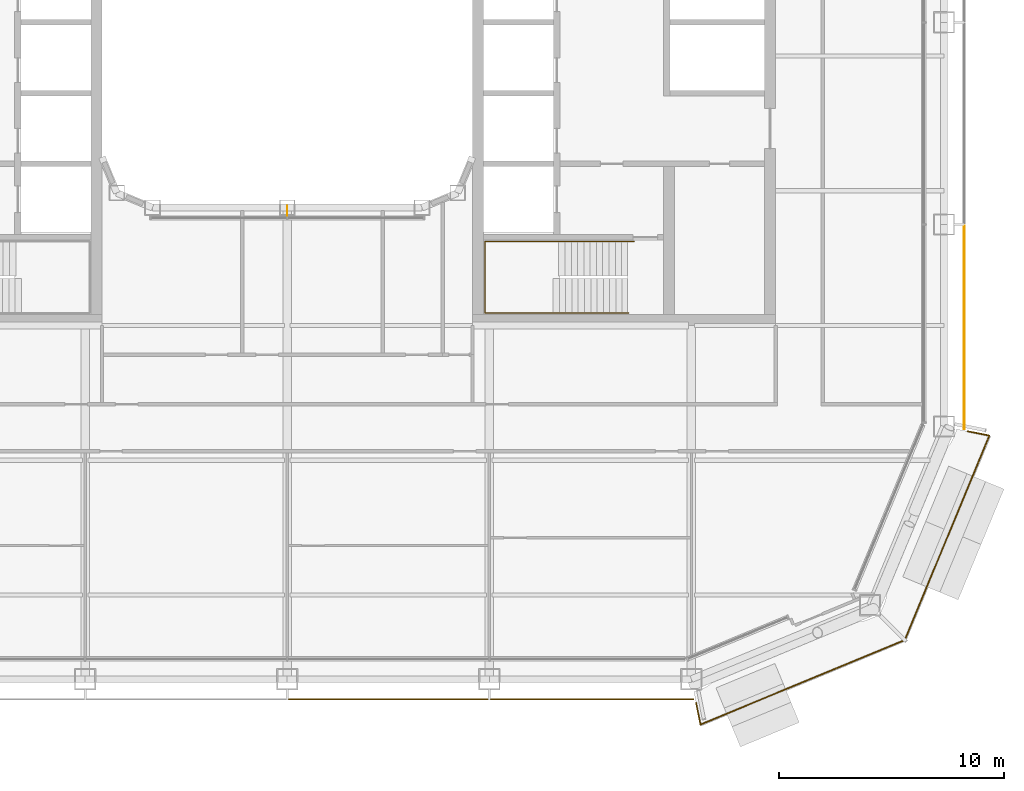
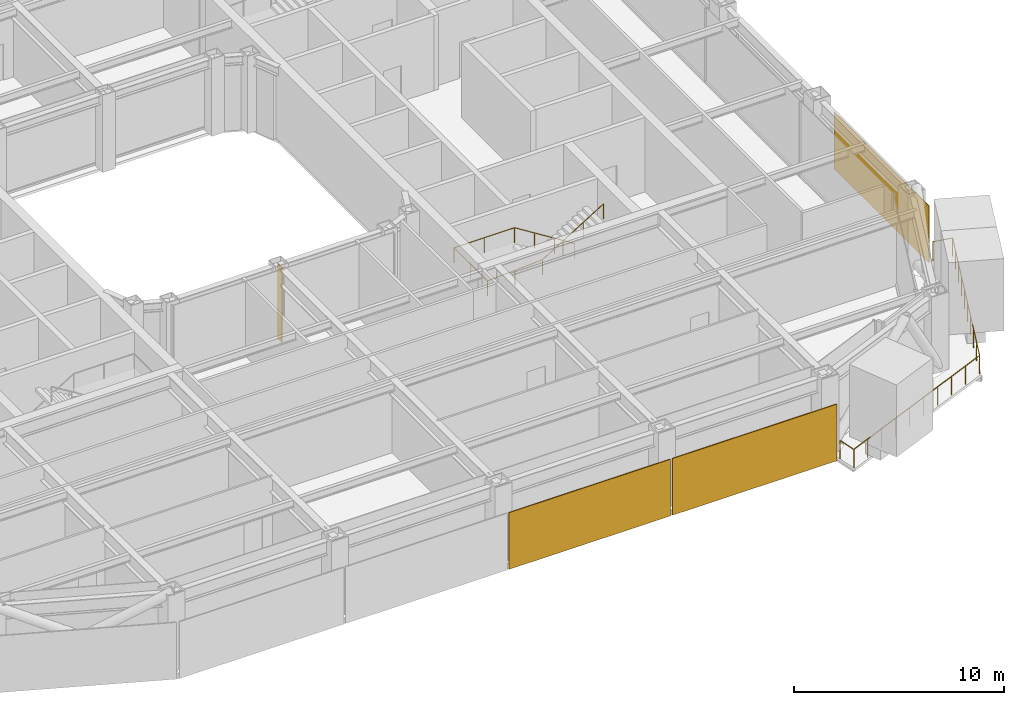
# One storey, part 19 of 23: 3 coverings, 2 railings, 1 shading device.
"""IFC4 building model written with IfcOpenShell, lengths in metres."""

from ifc_helpers import new_model, si_unit, direction, frame, origin, origin_2d, place, context, subcontext, project, spatial, rectangle, circle, extrude, material, layer, layer_set, type_object, element, save


model = new_model("IFC4")

# Units and contexts
model_context = context("Model", 3, precision=1e-05, world=origin(), true_north=direction((0.0, 1.0)))
body_context = subcontext(model_context, "Body", "Model", "MODEL_VIEW")
ifc_project = project(units=[si_unit("LENGTHUNIT", "METRE"), si_unit("AREAUNIT", "SQUARE_METRE"), si_unit("VOLUMEUNIT", "CUBIC_METRE"), si_unit("PLANEANGLEUNIT", "RADIAN"), si_unit("MASSUNIT", "GRAM", prefix="KILO")], contexts=[model_context])

# Site, building, storey
site_placement = place(None, origin())
site = spatial("IfcSite", under=ifc_project, at=site_placement, CompositionType="ELEMENT")
building_placement = place(site_placement, origin())
building = spatial("IfcBuilding", under=site, at=building_placement, Name="Siwar Civic Tower", CompositionType="ELEMENT")
storey_placement = place(building_placement, frame((0.0, 0.0, 109.199951171875)))
storey = spatial("IfcBuildingStorey", under=building, at=storey_placement, Name="L23", CompositionType="ELEMENT", Elevation=109.199951171875)

# Railing
ifc_material_1 = material(Name="Stainless steel", Category="steel")
railing_type_1 = type_object("IfcRailingType", Name="CORE-STAIR-HANDRAIL", PredefinedType="HANDRAIL", material=ifc_material_1)
railing_1_placement = place(storey_placement, frame((15.449951171875, -9.758056640625, 0.173095703125)))
element("IfcRailing", 1, at=railing_1_placement, inside=storey, type_object=railing_type_1, Name="Stair handrail ST4", PredefinedType="HANDRAIL", context=body_context, shape_type="SweptSolid", body=[
    extrude(circle(Radius=0.02001953125, at=origin_2d()), frame((0.0, 0.0, 0.8798828125), z_axis=(-0.847063342986, 0.0, 0.531491950051), x_axis=(0.0, -1.0, 0.0)), (0.0, 0.0, 1.0), 3.90771484375),
    extrude(circle(Radius=0.02001953125, at=origin_2d()), frame((-3.31005859375, 0.0, 2.956787109375), z_axis=(-1.0, 0.0, 0.0), x_axis=(0.0, -1.0, 0.0)), (0.0, 0.0, 1.0), 3.331787109375),
    extrude(circle(Radius=0.02001953125, at=origin_2d()), frame((-6.641845703125, 0.0, 2.956787109375), z_axis=(0.0, -1.0, 0.0), x_axis=(1.0, 0.0, 0.0)), (0.0, 0.0, 1.0), 3.183837890625),
    extrude(circle(Radius=0.02001953125, at=origin_2d()), frame((-6.641845703125, -3.183837890625, 2.956787109375), z_axis=(0.99837434197, 0.0, 0.056997134106), x_axis=(0.0, 1.0, 0.0)), (0.0, 0.0, 1.0), 3.036865234375),
    extrude(circle(Radius=0.02001953125, at=origin_2d()), frame((-3.60986328125, -3.183837890625, 3.1298828125), z_axis=(0.850606129759, 0.0, 0.525803396734), x_axis=(0.0, 1.0, 0.0)), (0.0, 0.0, 1.0), 3.949951171875),
    extrude(circle(Radius=0.02001953125, at=origin_2d()), origin(), (0.0, 0.0, 1.0), 0.85986328125),
    extrude(circle(Radius=0.02001953125, at=origin_2d()), frame((-1.103271484375, 0.0, 0.6923828125)), (0.0, 0.0, 1.0), 0.85986328125),
    extrude(circle(Radius=0.02001953125, at=origin_2d()), frame((-2.206787109375, 0.0, 1.384521484375)), (0.0, 0.0, 1.0), 0.85986328125),
    extrude(circle(Radius=0.02001953125, at=origin_2d()), frame((-3.31005859375, 0.0, 2.076904296875)), (0.0, 0.0, 1.0), 0.85986328125),
    extrude(circle(Radius=0.02001953125, at=origin_2d()), frame((-4.97607421875, 0.0, 2.076904296875)), (0.0, 0.0, 1.0), 0.85986328125),
    extrude(circle(Radius=0.02001953125, at=origin_2d()), frame((-6.641845703125, 0.0, 2.076904296875)), (0.0, 0.0, 1.0), 0.85986328125),
    extrude(circle(Radius=0.02001953125, at=origin_2d()), frame((-6.641845703125, -1.591796875, 2.076904296875)), (0.0, 0.0, 1.0), 0.85986328125),
    extrude(circle(Radius=0.02001953125, at=origin_2d()), frame((-6.641845703125, -3.183837890625, 2.076904296875)), (0.0, 0.0, 1.0), 0.85986328125),
    extrude(circle(Radius=0.02001953125, at=origin_2d()), frame((-5.1259765625, -3.183837890625, 2.16357421875)), (0.0, 0.0, 1.0), 0.85986328125),
    extrude(circle(Radius=0.02001953125, at=origin_2d()), frame((-3.60986328125, -3.183837890625, 2.25)), (0.0, 0.0, 1.0), 0.85986328125),
    extrude(circle(Radius=0.02001953125, at=origin_2d()), frame((-2.489990234375, -3.183837890625, 2.9423828125)), (0.0, 0.0, 1.0), 0.85986328125),
    extrude(circle(Radius=0.02001953125, at=origin_2d()), frame((-1.369873046875, -3.183837890625, 3.634521484375)), (0.0, 0.0, 1.0), 0.85986328125),
    extrude(circle(Radius=0.02001953125, at=origin_2d()), frame((-0.25, -3.183837890625, 4.326904296875)), (0.0, 0.0, 1.0), 0.85986328125),
])

# Shading device
ifc_material_2 = material(Name="Aluminium 6063-T6", Category="aluminium")
ifc_layer_1 = layer(ifc_material_2, 0.02001953125)
ifc_layer_set_1 = layer_set([ifc_layer_1], Name="Aluminium 6063-T6")
shading_device_type = type_object("IfcShadingDeviceType", Name="ENV-FIN", PredefinedType="JALOUSIE", material=ifc_layer_set_1)
shading_device_placement = place(storey_placement, frame((0.0, -8.39501953125, 0.0), z_axis=(0.0, 0.0, 1.0), x_axis=(1.0, 0.0, 0.0)))
element("IfcShadingDevice", 2, at=shading_device_placement, inside=storey, type_object=shading_device_type, Name="SUNSHADE fin WS 1", PredefinedType="JALOUSIE", context=body_context, shape_type="SweptSolid", body=[
    extrude(rectangle(XDim=0.02001953125, YDim=0.449951171875, at=origin_2d()), origin(), (0.0, 0.0, 1.0), 4.35009765625),
])

# Railing
ifc_material_3 = material(Name="Stainless steel 316", Category="steel")
railing_type_2 = type_object("IfcRailingType", Name="ENV-GUARD", PredefinedType="GUARDRAIL", material=ifc_material_3)
railing_2_placement = place(storey_placement, frame((18.208251953125, -30.297119140625, 0.0)))
element("IfcRailing", 3, at=railing_2_placement, inside=storey, type_object=railing_type_2, Name="Balcony guard SE", PredefinedType="GUARDRAIL", context=body_context, shape_type="SweptSolid", body=[
    extrude(circle(Radius=0.02392578125, at=origin_2d()), frame((0.0, 0.0, 1.076171875), z_axis=(0.195123592472, -0.980778661911, 0.0), x_axis=(0.980778661911, 0.195123592472, 0.0)), (0.0, 0.0, 1.0), 0.993408203125),
    extrude(circle(Radius=0.02392578125, at=origin_2d()), frame((0.19384765625, -0.974365234375, 1.076171875), z_axis=(0.924056377406, 0.38225621169, 0.0), x_axis=(-0.38225621169, 0.924056377406, 0.0)), (0.0, 0.0, 1.0), 9.851806640625),
    extrude(circle(Radius=0.02392578125, at=origin_2d()), frame((9.29736328125, 2.79150390625, 1.076171875), z_axis=(0.38225621169, 0.924056377406, 0.0), x_axis=(-0.924056377406, 0.38225621169, 0.0)), (0.0, 0.0, 1.0), 9.851806640625),
    extrude(circle(Radius=0.02392578125, at=origin_2d()), frame((13.063232421875, 11.89501953125, 1.076171875), z_axis=(-0.980778661911, 0.195123592472, 0.0), x_axis=(-0.195123592472, -0.980778661911, 0.0)), (0.0, 0.0, 1.0), 0.993408203125),
    extrude(circle(Radius=0.02099609375, at=origin_2d()), origin(), (0.0, 0.0, 1.0), 1.052001953125),
    extrude(circle(Radius=0.02099609375, at=origin_2d()), frame((0.19384765625, -0.974365234375, 0.0)), (0.0, 0.0, 1.0), 1.052001953125),
    extrude(circle(Radius=0.02099609375, at=origin_2d()), frame((1.205322265625, -0.555908203125, 0.0)), (0.0, 0.0, 1.0), 1.052001953125),
    extrude(circle(Radius=0.02099609375, at=origin_2d()), frame((2.216796875, -0.137451171875, 0.0)), (0.0, 0.0, 1.0), 1.052001953125),
    extrude(circle(Radius=0.02099609375, at=origin_2d()), frame((3.228271484375, 0.281005859375, 0.0)), (0.0, 0.0, 1.0), 1.052001953125),
    extrude(circle(Radius=0.02099609375, at=origin_2d()), frame((4.23974609375, 0.699462890625, 0.0)), (0.0, 0.0, 1.0), 1.052001953125),
    extrude(circle(Radius=0.02099609375, at=origin_2d()), frame((5.25146484375, 1.11767578125, 0.0)), (0.0, 0.0, 1.0), 1.052001953125),
    extrude(circle(Radius=0.02099609375, at=origin_2d()), frame((6.262939453125, 1.5361328125, 0.0)), (0.0, 0.0, 1.0), 1.052001953125),
    extrude(circle(Radius=0.02099609375, at=origin_2d()), frame((7.2744140625, 1.95458984375, 0.0)), (0.0, 0.0, 1.0), 1.052001953125),
    extrude(circle(Radius=0.02099609375, at=origin_2d()), frame((8.285888671875, 2.373046875, 0.0)), (0.0, 0.0, 1.0), 1.052001953125),
    extrude(circle(Radius=0.02099609375, at=origin_2d()), frame((9.29736328125, 2.79150390625, 0.0)), (0.0, 0.0, 1.0), 1.052001953125),
    extrude(circle(Radius=0.02099609375, at=origin_2d()), frame((9.7158203125, 3.802978515625, 0.0)), (0.0, 0.0, 1.0), 1.052001953125),
    extrude(circle(Radius=0.02099609375, at=origin_2d()), frame((10.13427734375, 4.814453125, 0.0)), (0.0, 0.0, 1.0), 1.052001953125),
    extrude(circle(Radius=0.02099609375, at=origin_2d()), frame((10.552734375, 5.825927734375, 0.0)), (0.0, 0.0, 1.0), 1.052001953125),
    extrude(circle(Radius=0.02099609375, at=origin_2d()), frame((10.97119140625, 6.83740234375, 0.0)), (0.0, 0.0, 1.0), 1.052001953125),
    extrude(circle(Radius=0.02099609375, at=origin_2d()), frame((11.389404296875, 7.84912109375, 0.0)), (0.0, 0.0, 1.0), 1.052001953125),
    extrude(circle(Radius=0.02099609375, at=origin_2d()), frame((11.807861328125, 8.860595703125, 0.0)), (0.0, 0.0, 1.0), 1.052001953125),
    extrude(circle(Radius=0.02099609375, at=origin_2d()), frame((12.226318359375, 9.8720703125, 0.0)), (0.0, 0.0, 1.0), 1.052001953125),
    extrude(circle(Radius=0.02099609375, at=origin_2d()), frame((12.644775390625, 10.883544921875, 0.0)), (0.0, 0.0, 1.0), 1.052001953125),
    extrude(circle(Radius=0.02099609375, at=origin_2d()), frame((13.063232421875, 11.89501953125, 0.0)), (0.0, 0.0, 1.0), 1.052001953125),
    extrude(circle(Radius=0.02099609375, at=origin_2d()), frame((12.0888671875, 12.0888671875, 0.0)), (0.0, 0.0, 1.0), 1.052001953125),
])

# Coverings
ifc_material_4 = material(Name="Perforated aluminium cassette, pale metal", Category="aluminium")
ifc_layer_2 = layer(ifc_material_4, 0.0400390625)
ifc_layer_set_2 = layer_set([ifc_layer_2], Name="Perforated aluminium cassette, pale metal")
covering_type_1 = type_object("IfcCoveringType", Name="ENV-OUTER SKIN OS-1", PredefinedType="CLADDING", material=ifc_layer_set_2)
covering_1_placement = place(storey_placement, frame((30.14990234375, -13.57958984375, -0.14990234375), z_axis=(0.0, 0.0, 1.0), x_axis=(0.0, 1.0, 0.0)))
element("IfcCovering", 4, at=covering_1_placement, inside=storey, type_object=covering_type_1, Name="OUTER SKIN OS-1 E 1", PredefinedType="CLADDING", context=body_context, shape_type="SweptSolid", body=[
    extrude(rectangle(XDim=9.05908203125, YDim=0.0400390625, at=origin_2d()), origin(), (0.0, 0.0, 1.0), 3.300048828125),
])
ifc_material_5 = material(Name="Perforated aluminium cassette, pale metal", Category="aluminium")
ifc_layer_3 = layer(ifc_material_5, 0.054931640625)
ifc_layer_set_3 = layer_set([ifc_layer_3], Name="Perforated aluminium cassette, pale metal")
covering_type_2 = type_object("IfcCoveringType", Name="ENV-OUTER SKIN OS-4", PredefinedType="CLADDING", material=ifc_layer_set_3)
covering_2_placement = place(storey_placement, frame((4.5, -30.14990234375, -0.14990234375), z_axis=(0.0, 0.0, 1.0), x_axis=(1.0, 0.0, 0.0)))
element("IfcCovering", 5, at=covering_2_placement, inside=storey, type_object=covering_type_2, Name="OUTER SKIN OS-4 S 3", PredefinedType="CLADDING", context=body_context, shape_type="SweptSolid", body=[
    extrude(rectangle(XDim=8.89990234375, YDim=0.054931640625, at=origin_2d()), origin(), (0.0, 0.0, 1.0), 3.300048828125),
])
covering_3_placement = place(storey_placement, frame((13.57958984375, -30.14990234375, -0.14990234375), z_axis=(0.0, 0.0, 1.0), x_axis=(1.0, 0.0, 0.0)))
element("IfcCovering", 6, at=covering_3_placement, inside=storey, type_object=covering_type_2, Name="OUTER SKIN OS-4 S 4", PredefinedType="CLADDING", context=body_context, shape_type="SweptSolid", body=[
    extrude(rectangle(XDim=9.05908203125, YDim=0.054931640625, at=origin_2d()), origin(), (0.0, 0.0, 1.0), 3.300048828125),
])

save(model, "model.ifc")
